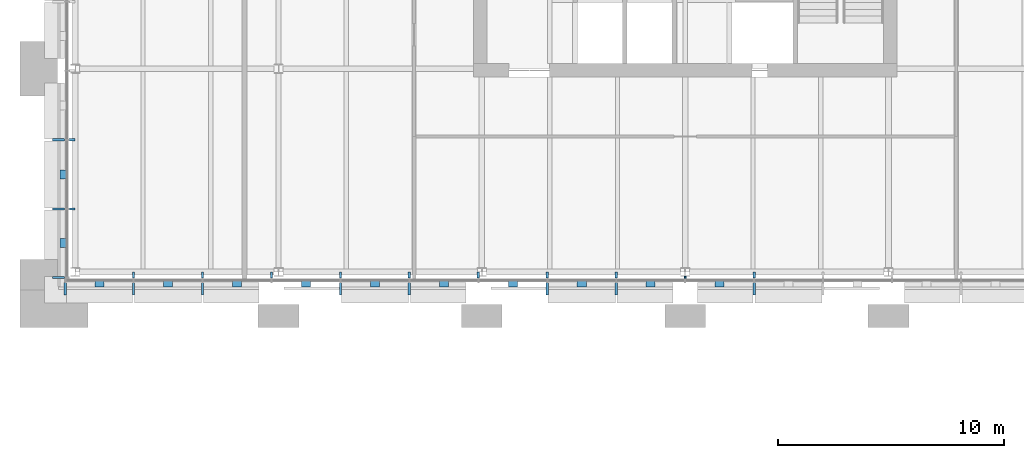
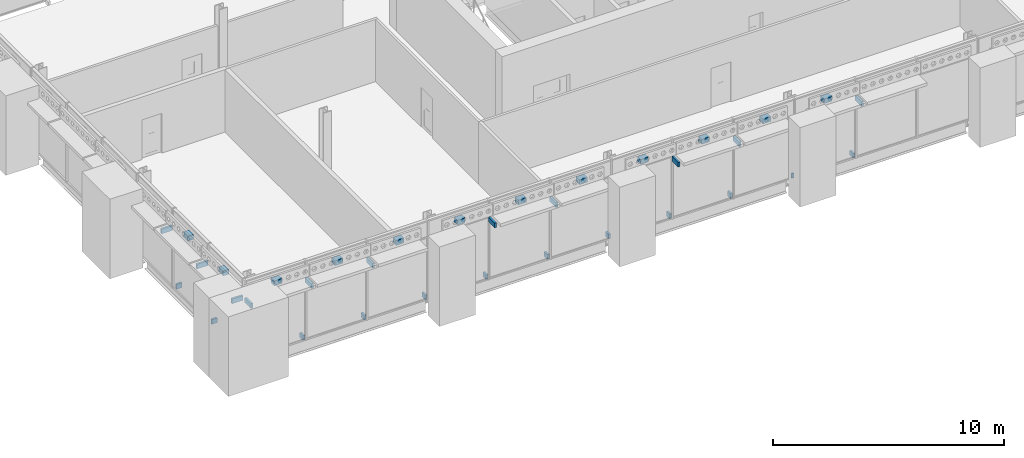
# One storey, part 33 of 54: 35 discrete accessories.
"""IFC4 building model written with IfcOpenShell, lengths in metres."""

from ifc_helpers import new_model, si_unit, direction, frame, origin, origin_2d, place, context, subcontext, project, spatial, rectangle, extrude, material, type_object, element, save


model = new_model("IFC4")

# Units and contexts
model_context = context("Model", 3, precision=1e-05, world=origin(), true_north=direction((0.0, 1.0)))
body_context = subcontext(model_context, "Body", "Model", "MODEL_VIEW")
ifc_project = project(units=[si_unit("LENGTHUNIT", "METRE"), si_unit("AREAUNIT", "SQUARE_METRE"), si_unit("VOLUMEUNIT", "CUBIC_METRE"), si_unit("PLANEANGLEUNIT", "RADIAN"), si_unit("MASSUNIT", "GRAM", prefix="KILO")], contexts=[model_context])

# Site, building, storey
site_placement = place(None, origin())
site = spatial("IfcSite", under=ifc_project, at=site_placement, CompositionType="ELEMENT")
building_placement = place(site_placement, origin())
building = spatial("IfcBuilding", under=site, at=building_placement, Name="Baradari Gate Terminus", CompositionType="ELEMENT")
storey_placement = place(building_placement, frame((0.0, 0.0, 15.89990234375)))
storey = spatial("IfcBuildingStorey", under=building, at=storey_placement, Name="L03", CompositionType="ELEMENT", Elevation=15.89990234375)

# Discrete accessories
ifc_material_1 = material(Name="Steel S275", Category="steel")
discrete_accessory_type_1 = type_object("IfcDiscreteAccessoryType", Name="Chhajja bracket BK-3 galvanised steel", PredefinedType="BRACKET", material=ifc_material_1)
for number, where, z_axis, x_axis, name in (
    (1, (8.5625, 116.260009765625, 3.08251953125), (0.0, 0.0, 1.0), (0.0, -1.0, 0.0), "Chhajja bracket BK-3 L03/TS mullion 1"),
    (2, (11.582275390625, 116.260009765625, 3.08251953125), (0.0, 0.0, 1.0), (0.0, -1.0, 0.0), "Chhajja bracket BK-3 L03/TS mullion 2"),
    (3, (14.634521484375, 116.260009765625, 3.08251953125), (0.0, 0.0, 1.0), (0.0, -1.0, 0.0), "Chhajja bracket BK-3 L03/TS mullion 3"),
    (4, (20.73876953125, 116.260009765625, 3.08251953125), (0.0, 0.0, 1.0), (0.0, -1.0, 0.0), "Chhajja bracket BK-3 L03/TS mullion 5"),
    (5, (23.791015625, 116.260009765625, 3.08251953125), (0.0, 0.0, 1.0), (0.0, -1.0, 0.0), "Chhajja bracket BK-3 L03/TS mullion 6"),
    (6, (29.8955078125, 116.260009765625, 3.08251953125), (0.0, 0.0, 1.0), (0.0, -1.0, 0.0), "Chhajja bracket BK-3 L03/TS mullion 8"),
    (7, (32.94775390625, 116.260009765625, 3.08251953125), (0.0, 0.0, 1.0), (0.0, -1.0, 0.0), "Chhajja bracket BK-3 L03/TS mullion 9"),
    (8, (39.05224609375, 116.260009765625, 3.08251953125), (0.0, 0.0, 1.0), (0.0, -1.0, 0.0), "Chhajja bracket BK-3 L03/TS mullion 11"),
    (9, (8.260009765625, 116.762451171875, 3.08251953125), (0.0, 0.0, 1.0), (-1.0, 0.0, 0.0), "Chhajja bracket BK-3 L03/TW mullion 1"),
    (10, (8.260009765625, 119.7900390625, 3.08251953125), (0.0, 0.0, 1.0), (-1.0, 0.0, 0.0), "Chhajja bracket BK-3 L03/TW mullion 2"),
    (11, (8.260009765625, 122.85009765625, 3.08251953125), (0.0, 0.0, 1.0), (-1.0, 0.0, 0.0), "Chhajja bracket BK-3 L03/TW mullion 3"),
):
    element("IfcDiscreteAccessory", number, at=place(storey_placement, frame(where, z_axis=z_axis, x_axis=x_axis)), inside=storey, type_object=discrete_accessory_type_1, Name=name, PredefinedType="BRACKET", context=body_context, shape_type="SweptSolid", body=[
        extrude(rectangle(XDim=0.5400390625, YDim=0.10009765625, at=origin_2d()), origin(), (0.0, 0.0, 1.0), 0.25),
    ])
ifc_material_2 = material(Name="Aluminium 6063-T6", Category="aluminium")
discrete_accessory_type_2 = type_object("IfcDiscreteAccessoryType", Name="Curtain wall bracket BK-1 100x250", PredefinedType="BRACKET", material=ifc_material_2)
for number, where, z_axis, x_axis, name in (
    (12, (11.582275390625, 116.864990234375, -0.099853515625), (0.0, 0.0, 1.0), (0.0, -1.0, 0.0), "Curtain wall bracket BK-1 L03/TS mullion 2"),
    (13, (14.634521484375, 116.864990234375, -0.099853515625), (0.0, 0.0, 1.0), (0.0, -1.0, 0.0), "Curtain wall bracket BK-1 L03/TS mullion 3"),
    (14, (17.686767578125, 116.864990234375, -0.099853515625), (0.0, 0.0, 1.0), (0.0, -1.0, 0.0), "Curtain wall bracket BK-1 L03/TS mullion 4"),
    (15, (20.73876953125, 116.864990234375, -0.099853515625), (0.0, 0.0, 1.0), (0.0, -1.0, 0.0), "Curtain wall bracket BK-1 L03/TS mullion 5"),
    (16, (23.791015625, 116.864990234375, -0.099853515625), (0.0, 0.0, 1.0), (0.0, -1.0, 0.0), "Curtain wall bracket BK-1 L03/TS mullion 6"),
    (17, (26.84326171875, 116.864990234375, -0.099853515625), (0.0, 0.0, 1.0), (0.0, -1.0, 0.0), "Curtain wall bracket BK-1 L03/TS mullion 7"),
    (18, (29.8955078125, 116.864990234375, -0.099853515625), (0.0, 0.0, 1.0), (0.0, -1.0, 0.0), "Curtain wall bracket BK-1 L03/TS mullion 8"),
    (19, (32.94775390625, 116.864990234375, -0.099853515625), (0.0, 0.0, 1.0), (0.0, -1.0, 0.0), "Curtain wall bracket BK-1 L03/TS mullion 9"),
):
    element("IfcDiscreteAccessory", number, at=place(storey_placement, frame(where, z_axis=z_axis, x_axis=x_axis)), inside=storey, type_object=discrete_accessory_type_2, Name=name, PredefinedType="BRACKET", context=body_context, shape_type="SweptSolid", body=[
        extrude(rectangle(XDim=0.27001953125, YDim=0.10009765625, at=origin_2d()), origin(), (0.0, 0.0, 1.0), 0.25),
    ])
discrete_accessory_placement = place(storey_placement, frame((36.0, 116.769775390625, -0.099853515625), z_axis=(0.0, 0.0, 1.0), x_axis=(0.0, -1.0, 0.0)))
element("IfcDiscreteAccessory", 20, at=discrete_accessory_placement, inside=storey, type_object=discrete_accessory_type_2, Name="Curtain wall bracket BK-1 L03/TS mullion 10", PredefinedType="BRACKET", context=body_context, shape_type="SweptSolid", body=[
    extrude(rectangle(XDim=0.07958984375, YDim=0.10009765625, at=origin_2d()), origin(), (0.0, 0.0, 1.0), 0.25),
])
for number, where, z_axis, x_axis, name in (
    (21, (39.05224609375, 116.864990234375, -0.099853515625), (0.0, 0.0, 1.0), (0.0, -1.0, 0.0), "Curtain wall bracket BK-1 L03/TS mullion 11"),
    (22, (8.864990234375, 119.7900390625, -0.099853515625), (0.0, 0.0, 1.0), (-1.0, 0.0, 0.0), "Curtain wall bracket BK-1 L03/TW mullion 2"),
    (23, (8.864990234375, 122.85009765625, -0.099853515625), (0.0, 0.0, 1.0), (-1.0, 0.0, 0.0), "Curtain wall bracket BK-1 L03/TW mullion 3"),
):
    element("IfcDiscreteAccessory", number, at=place(storey_placement, frame(where, z_axis=z_axis, x_axis=x_axis)), inside=storey, type_object=discrete_accessory_type_2, Name=name, PredefinedType="BRACKET", context=body_context, shape_type="SweptSolid", body=[
        extrude(rectangle(XDim=0.27001953125, YDim=0.10009765625, at=origin_2d()), origin(), (0.0, 0.0, 1.0), 0.25),
    ])
ifc_material_3 = material(Name="Stainless steel 316", Category="steel")
discrete_accessory_type_3 = type_object("IfcDiscreteAccessoryType", Name="Jali screen bracket BK-2 stainless steel", PredefinedType="BRACKET", material=ifc_material_3)
for number, where, z_axis, x_axis, name in (
    (24, (10.072265625, 116.472412109375, 3.60888671875), (0.0, 0.0, 1.0), (0.0, -1.0, 0.0), "Jali screen bracket BK-2 L03/TS bay 1"),
    (25, (13.1083984375, 116.472412109375, 3.60888671875), (0.0, 0.0, 1.0), (0.0, -1.0, 0.0), "Jali screen bracket BK-2 L03/TS bay 2"),
    (26, (16.16064453125, 116.472412109375, 3.60888671875), (0.0, 0.0, 1.0), (0.0, -1.0, 0.0), "Jali screen bracket BK-2 L03/TS bay 3"),
    (27, (19.212890625, 116.472412109375, 3.60888671875), (0.0, 0.0, 1.0), (0.0, -1.0, 0.0), "Jali screen bracket BK-2 L03/TS bay 4"),
    (28, (22.264892578125, 116.472412109375, 3.60888671875), (0.0, 0.0, 1.0), (0.0, -1.0, 0.0), "Jali screen bracket BK-2 L03/TS bay 5"),
    (29, (25.317138671875, 116.472412109375, 3.60888671875), (0.0, 0.0, 1.0), (0.0, -1.0, 0.0), "Jali screen bracket BK-2 L03/TS bay 6"),
    (30, (28.369384765625, 116.472412109375, 3.60888671875), (0.0, 0.0, 1.0), (0.0, -1.0, 0.0), "Jali screen bracket BK-2 L03/TS bay 7"),
    (31, (31.421630859375, 116.472412109375, 3.60888671875), (0.0, 0.0, 1.0), (0.0, -1.0, 0.0), "Jali screen bracket BK-2 L03/TS bay 8"),
    (32, (34.473876953125, 116.472412109375, 3.60888671875), (0.0, 0.0, 1.0), (0.0, -1.0, 0.0), "Jali screen bracket BK-2 L03/TS bay 9"),
    (33, (37.526123046875, 116.472412109375, 3.60888671875), (0.0, 0.0, 1.0), (0.0, -1.0, 0.0), "Jali screen bracket BK-2 L03/TS bay 10"),
    (34, (8.472412109375, 118.2763671875, 3.60888671875), (0.0, 0.0, 1.0), (-1.0, 0.0, 0.0), "Jali screen bracket BK-2 L03/TW bay 1"),
    (35, (8.472412109375, 121.320068359375, 3.60888671875), (0.0, 0.0, 1.0), (-1.0, 0.0, 0.0), "Jali screen bracket BK-2 L03/TW bay 2"),
):
    element("IfcDiscreteAccessory", number, at=place(storey_placement, frame(where, z_axis=z_axis, x_axis=x_axis)), inside=storey, type_object=discrete_accessory_type_3, Name=name, PredefinedType="BRACKET", context=body_context, shape_type="SweptSolid", body=[
        extrude(rectangle(XDim=0.284912109375, YDim=0.39990234375, at=origin_2d()), origin(), (0.0, 0.0, 1.0), 0.25),
    ])

save(model, "model.ifc")
